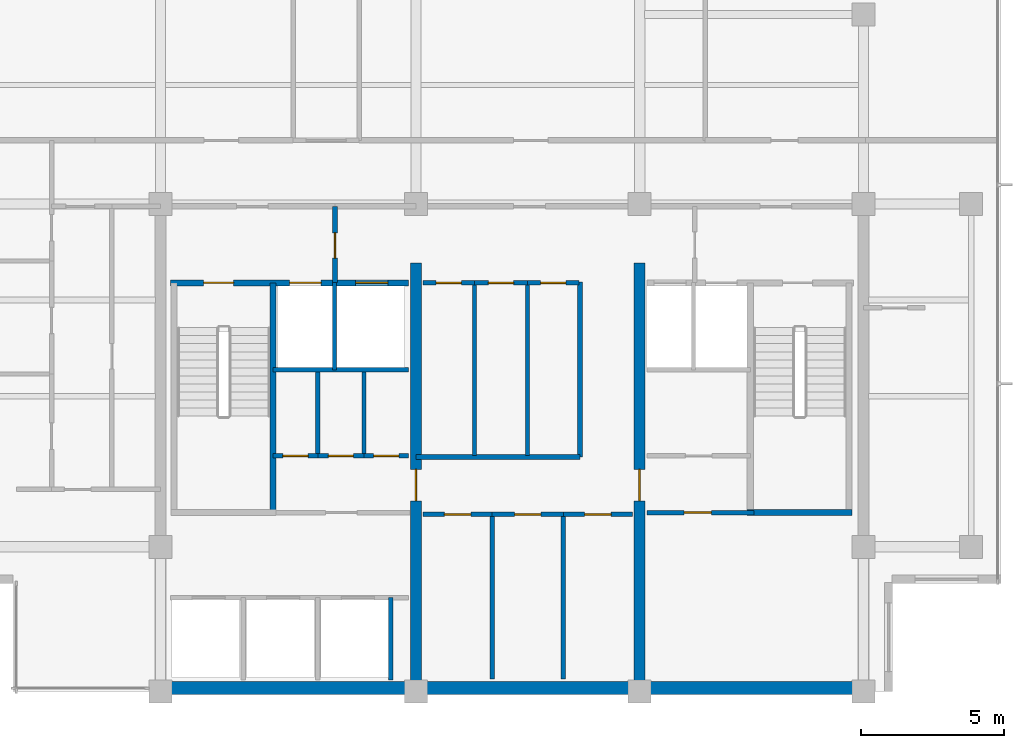
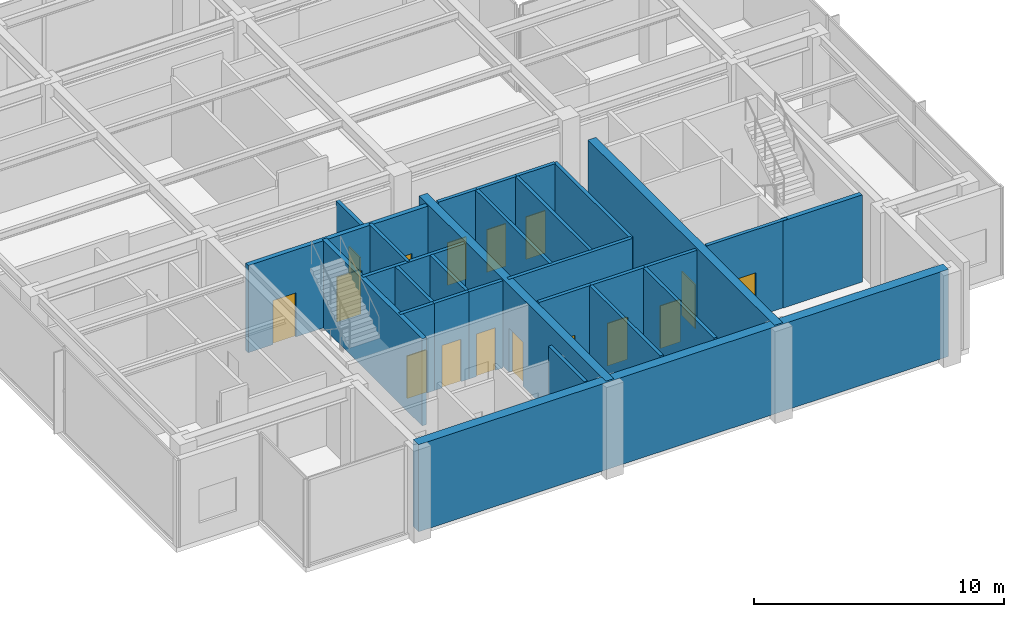
# One storey, part 6 of 11: 28 walls, 16 doors, 16 openings.
"""IFC4 building model written with IfcOpenShell, lengths in metres."""

from ifc_helpers import new_model, si_unit, direction, frame, frame_2d, origin, place, context, subcontext, project, spatial, rectangle, extrude, material, layer, layer_set, type_object, element, fill, save


model = new_model("IFC4")

# Units and contexts
model_context = context("Model", 3, precision=1e-05, world=origin(), true_north=direction((0.0, 1.0)))
body_context = subcontext(model_context, "Body", "Model", "MODEL_VIEW")
ifc_project = project(units=[si_unit("LENGTHUNIT", "METRE"), si_unit("AREAUNIT", "SQUARE_METRE"), si_unit("VOLUMEUNIT", "CUBIC_METRE"), si_unit("PLANEANGLEUNIT", "RADIAN"), si_unit("MASSUNIT", "GRAM", prefix="KILO")], contexts=[model_context])

# Site, building, storey
site_placement = place(None, origin())
site = spatial("IfcSite", under=ifc_project, at=site_placement, CompositionType="ELEMENT")
building_placement = place(site_placement, origin())
building = spatial("IfcBuilding", under=site, at=building_placement, Name="Qalmaran Belvedere Hotel", CompositionType="ELEMENT")
storey_placement = place(building_placement, frame((0.0, 0.0, 285.39990234375)))
storey = spatial("IfcBuildingStorey", under=building, at=storey_placement, Name="L74", CompositionType="ELEMENT", Elevation=285.39990234375)

# Wall, opening, door
ifc_material_1 = material(Name="Concrete C50/60", Category="concrete")
ifc_layer_1 = layer(ifc_material_1, 0.3798828125, Name="Concrete C50/60")
ifc_layer_set_1 = layer_set([ifc_layer_1], Name="Concrete C50/60")
wall_type_1 = type_object("IfcWallType", Name="WL-CORE-380-C50", PredefinedType="SHEAR", material=ifc_layer_set_1)
wall_1_placement = place(storey_placement, frame((29.199951171875, 3.5, 0.0), z_axis=(0.0, 0.0, 1.0), x_axis=(0.0, 1.0, 0.0)))
wall_1 = element("IfcWall", 1, at=wall_1_placement, inside=storey, type_object=wall_type_1, Name="L74 Core West Spine Shear Wall", PredefinedType="SHEAR", context=body_context, shape_type="SweptSolid", body=[
    extrude(rectangle(XDim=14.949951171875, YDim=0.3798828125, at=frame_2d((7.47509765625, 0.0))), origin(), (0.0, 0.0, 1.0), 4.260009765625),
])
opening_1_placement = place(wall_1_placement, frame((7.75, 0.0, 0.0), z_axis=(0.0, 0.0, 1.0), x_axis=(-1.0, 0.0, 0.0)))
opening_1 = element("IfcOpeningElement", 2, at=opening_1_placement, cuts=wall_1, Name="Opening FD90", PredefinedType="OPENING", context=body_context, shape_type="SweptSolid", body=[
    extrude(rectangle(XDim=1.10009765625, YDim=2.14990234375, at=frame_2d((0.550048828125, 1.074951171875))), frame((0.0, 0.199951171875, 0.0), z_axis=(0.0, -1.0, 0.0), x_axis=(1.0, 0.0, 0.0)), (0.0, 0.0, 1.0), 0.39990234375),
])
ifc_material_2 = material(Name="Steel S355JR", Category="steel")
door_type_1 = type_object("IfcDoorType", Name="DR-FD90-1100X2150", OperationType="NOTDEFINED", PredefinedType="DOOR", material=ifc_material_2)
door_1_placement = place(opening_1_placement, origin())
door_1 = element("IfcDoor", 3, at=door_1_placement, inside=storey, type_object=door_type_1, Name="L74 Core West Cross-Lobby Door", OperationType="SINGLE_SWING_RIGHT", OverallHeight=2.14990234375, OverallWidth=1.10009765625, PredefinedType="DOOR", context=body_context, shape_type="SweptSolid", body=[
    extrude(rectangle(XDim=1.10009765625, YDim=2.14990234375, at=frame_2d((0.550048828125, 1.074951171875))), frame((0.0, 0.02490234375, 0.0), z_axis=(0.0, -1.0, 0.0), x_axis=(1.0, 0.0, 0.0)), (0.0, 0.0, 1.0), 0.050048828125),
])
fill(opening_1, door_1)

wall_2_placement = place(storey_placement, frame((37.0, 3.5, 0.0), z_axis=(0.0, 0.0, 1.0), x_axis=(0.0, 1.0, 0.0)))
wall_2 = element("IfcWall", 4, at=wall_2_placement, inside=storey, type_object=wall_type_1, Name="L74 Core East Spine Shear Wall", PredefinedType="SHEAR", context=body_context, shape_type="SweptSolid", body=[
    extrude(rectangle(XDim=14.949951171875, YDim=0.3798828125, at=frame_2d((7.47509765625, 0.0))), origin(), (0.0, 0.0, 1.0), 4.260009765625),
])
opening_2_placement = place(wall_2_placement, frame((6.64990234375, 0.0, 0.0)))
opening_2 = element("IfcOpeningElement", 5, at=opening_2_placement, cuts=wall_2, Name="Opening FD90", PredefinedType="OPENING", context=body_context, shape_type="SweptSolid", body=[
    extrude(rectangle(XDim=1.10009765625, YDim=2.14990234375, at=frame_2d((0.550048828125, 1.074951171875))), frame((0.0, 0.199951171875, 0.0), z_axis=(0.0, -1.0, 0.0), x_axis=(1.0, 0.0, 0.0)), (0.0, 0.0, 1.0), 0.39990234375),
])
door_2_placement = place(opening_2_placement, origin())
door_2 = element("IfcDoor", 6, at=door_2_placement, inside=storey, type_object=door_type_1, Name="L74 Core East Cross-Lobby Door", OperationType="SINGLE_SWING_LEFT", OverallHeight=2.14990234375, OverallWidth=1.10009765625, PredefinedType="DOOR", context=body_context, shape_type="SweptSolid", body=[
    extrude(rectangle(XDim=1.10009765625, YDim=2.14990234375, at=frame_2d((0.550048828125, 1.074951171875))), frame((0.0, 0.02490234375, 0.0), z_axis=(0.0, -1.0, 0.0), x_axis=(1.0, 0.0, 0.0)), (0.0, 0.0, 1.0), 0.050048828125),
])
fill(opening_2, door_2)

# Walls
ifc_layer_2 = layer(ifc_material_1, 0.43994140625, Name="Concrete C50/60")
ifc_layer_set_2 = layer_set([ifc_layer_2], Name="Concrete C50/60")
wall_type_2 = type_object("IfcWallType", Name="WL-CORES-440-EXT", PredefinedType="SHEAR", material=ifc_layer_set_2)
wall_3_placement = place(storey_placement, frame((20.300048828125, 3.6298828125, 0.0), z_axis=(0.0, 0.0, 1.0), x_axis=(1.0, 0.0, 0.0)))
element("IfcWall", 7, at=wall_3_placement, inside=storey, type_object=wall_type_2, Name="L74 South Core Shear Wall", PredefinedType="SHEAR", context=body_context, shape_type="SweptSolid", body=[
    extrude(rectangle(XDim=24.5, YDim=0.43994140625, at=frame_2d((12.25, 0.0))), origin(), (0.0, 0.0, 1.0), 4.260009765625),
])
ifc_material_3 = material(Name="Gypsum Stud Partition")
ifc_layer_3 = layer(ifc_material_3, 0.14990234375, Name="Gypsum Stud Partition")
ifc_layer_set_3 = layer_set([ifc_layer_3], Name="Gypsum Stud Partition")
wall_type_3 = type_object("IfcWallType", Name="WL-INT-150-EI120", PredefinedType="PARTITIONING", material=ifc_layer_set_3)
wall_4_placement = place(storey_placement, frame((26.360107421875, 14.719970703125, 0.0), z_axis=(0.0, 0.0, 1.0), x_axis=(0.0, 1.0, 0.0)))
element("IfcWall", 8, at=wall_4_placement, inside=storey, type_object=wall_type_3, Name="L74 Partition WL-FF1M-L74", PredefinedType="PARTITIONING", context=body_context, shape_type="SweptSolid", body=[
    extrude(rectangle(XDim=3.0400390625, YDim=0.14990234375, at=frame_2d((1.52001953125, 0.0))), origin(), (0.0, 0.0, 1.0), 4.260009765625),
])
wall_5_placement = place(storey_placement, frame((28.320068359375, 3.89990234375, 0.0), z_axis=(0.0, 0.0, 1.0), x_axis=(0.0, 1.0, 0.0)))
element("IfcWall", 9, at=wall_5_placement, inside=storey, type_object=wall_type_3, Name="L74 Partition WL-POM3-L74", PredefinedType="PARTITIONING", context=body_context, shape_type="SweptSolid", body=[
    extrude(rectangle(XDim=2.880126953125, YDim=0.14990234375, at=frame_2d((1.43994140625, 0.0))), origin(), (0.0, 0.0, 1.0), 4.260009765625),
])
ifc_layer_4 = layer(ifc_material_3, 0.14990234375, Name="Gypsum Stud Partition")
ifc_layer_set_4 = layer_set([ifc_layer_4], Name="Gypsum Stud Partition")
wall_type_4 = type_object("IfcWallType", Name="WL-INT-150-EI60", PredefinedType="PARTITIONING", material=ifc_layer_set_4)
for number, where, z_axis, x_axis, name in (
    (10, (25.781005859375, 11.719970703125, 0.0), (0.0, 0.0, 1.0), (0.0, 1.0, 0.0), "L74 Partition WL-L74-KWV1"),
    (11, (27.38916015625, 11.719970703125, 0.0), (0.0, 0.0, 1.0), (0.0, 1.0, 0.0), "L74 Partition WL-L74-KWV2"),
):
    element("IfcWall", number, at=place(storey_placement, frame(where, z_axis=z_axis, x_axis=x_axis)), inside=storey, type_object=wall_type_4, Name=name, PredefinedType="PARTITIONING", context=body_context, shape_type="SweptSolid", body=[
        extrude(rectangle(XDim=2.929931640625, YDim=0.14990234375, at=frame_2d((1.46484375, 0.0))), origin(), (0.0, 0.0, 1.0), 4.260009765625),
    ])
for number, where, z_axis, x_axis, name in (
    (12, (31.85888671875, 3.949951171875, 0.0), (0.0, 0.0, 1.0), (0.0, 1.0, 0.0), "L74 Partition WL-L74-KPLV1"),
    (13, (34.341064453125, 3.949951171875, 0.0), (0.0, 0.0, 1.0), (0.0, 1.0, 0.0), "L74 Partition WL-L74-KPLV2"),
):
    element("IfcWall", number, at=place(storey_placement, frame(where, z_axis=z_axis, x_axis=x_axis)), inside=storey, type_object=wall_type_4, Name=name, PredefinedType="PARTITIONING", context=body_context, shape_type="SweptSolid", body=[
        extrude(rectangle(XDim=5.72998046875, YDim=0.14990234375, at=frame_2d((2.864990234375, 0.0))), origin(), (0.0, 0.0, 1.0), 4.260009765625),
    ])
for number, where, z_axis, x_axis, name in (
    (14, (31.241943359375, 11.739990234375, 0.0), (0.0, 0.0, 1.0), (0.0, 1.0, 0.0), "L74 Partition WL-L74-KPMV1"),
    (15, (33.088134765625, 11.739990234375, 0.0), (0.0, 0.0, 1.0), (0.0, 1.0, 0.0), "L74 Partition WL-L74-KPMV2"),
):
    element("IfcWall", number, at=place(storey_placement, frame(where, z_axis=z_axis, x_axis=x_axis)), inside=storey, type_object=wall_type_4, Name=name, PredefinedType="PARTITIONING", context=body_context, shape_type="SweptSolid", body=[
        extrude(rectangle(XDim=6.010009765625, YDim=0.14990234375, at=frame_2d((3.0048828125, 0.0))), origin(), (0.0, 0.0, 1.0), 4.260009765625),
    ])

# Wall, opening, door
ifc_layer_5 = layer(ifc_material_3, 0.159912109375, Name="Gypsum Stud Partition")
ifc_layer_set_5 = layer_set([ifc_layer_5], Name="Gypsum Stud Partition")
wall_type_5 = type_object("IfcWallType", Name="WL-INT-160-EI120", PredefinedType="PARTITIONING", material=ifc_layer_set_5)
wall_6_placement = place(storey_placement, frame((26.3798828125, 17.760009765625, 0.0), z_axis=(0.0, 0.0, 1.0), x_axis=(0.0, 1.0, 0.0)))
wall_6 = element("IfcWall", 16, at=wall_6_placement, inside=storey, type_object=wall_type_5, Name="L74 Partition WL-FFSV1-L74", PredefinedType="PARTITIONING", context=body_context, shape_type="SweptSolid", body=[
    extrude(rectangle(XDim=2.659912109375, YDim=0.159912109375, at=frame_2d((1.330078125, 0.0))), origin(), (0.0, 0.0, 1.0), 3.781982421875),
])
opening_3_placement = place(wall_6_placement, frame((0.85009765625, 0.0, 0.0)))
opening_3 = element("IfcOpeningElement", 17, at=opening_3_placement, cuts=wall_6, Name="Opening FD60B", PredefinedType="OPENING", context=body_context, shape_type="SweptSolid", body=[
    extrude(rectangle(XDim=0.8798828125, YDim=2.080078125, at=frame_2d((0.43994140625, 1.0400390625))), frame((0.0, 0.08984375, 0.0), z_axis=(0.0, -1.0, 0.0), x_axis=(1.0, 0.0, 0.0)), (0.0, 0.0, 1.0), 0.179931640625),
])
door_type_2 = type_object("IfcDoorType", Name="DR-FD60B-880X2080", OperationType="NOTDEFINED", PredefinedType="DOOR", material=ifc_material_2)
door_3_placement = place(opening_3_placement, origin())
door_3 = element("IfcDoor", 18, at=door_3_placement, inside=storey, type_object=door_type_2, Name="L74 Service Lobby West Door", OperationType="SINGLE_SWING_RIGHT", OverallHeight=2.080078125, OverallWidth=0.8798828125, PredefinedType="DOOR", context=body_context, shape_type="SweptSolid", body=[
    extrude(rectangle(XDim=0.8798828125, YDim=2.080078125, at=frame_2d((0.43994140625, 1.0400390625))), frame((0.0, 0.02490234375, 0.0), z_axis=(0.0, -1.0, 0.0), x_axis=(1.0, 0.0, 0.0)), (0.0, 0.0, 1.0), 0.050048828125),
])
fill(opening_3, door_3)

# Wall
wall_7_placement = place(storey_placement, frame((24.219970703125, 14.719970703125, 0.0), z_axis=(0.0, 0.0, 1.0), x_axis=(1.0, 0.0, 0.0)))
element("IfcWall", 19, at=wall_7_placement, inside=storey, type_object=wall_type_5, Name="L74 Partition WL-FF1S-L74", PredefinedType="PARTITIONING", context=body_context, shape_type="SweptSolid", body=[
    extrude(rectangle(XDim=4.72998046875, YDim=0.159912109375, at=frame_2d((2.364990234375, 0.0))), origin(), (0.0, 0.0, 1.0), 4.260009765625),
])

# Wall, opening, door
ifc_layer_6 = layer(ifc_material_3, 0.159912109375, Name="Gypsum Stud Partition")
ifc_layer_set_6 = layer_set([ifc_layer_6], Name="Gypsum Stud Partition")
wall_type_6 = type_object("IfcWallType", Name="WL-INT-160-EI60", PredefinedType="PARTITIONING", material=ifc_layer_set_6)
wall_8_placement = place(storey_placement, frame((24.219970703125, 11.719970703125, 0.0), z_axis=(0.0, 0.0, 1.0), x_axis=(1.0, 0.0, 0.0)))
wall_8 = element("IfcWall", 20, at=wall_8_placement, inside=storey, type_object=wall_type_6, Name="L74 Partition WL-L74-KWE1", PredefinedType="PARTITIONING", context=body_context, shape_type="SweptSolid", body=[
    extrude(rectangle(XDim=1.56103515625, YDim=0.159912109375, at=frame_2d((0.780517578125, 0.0))), origin(), (0.0, 0.0, 1.0), 4.260009765625),
])
opening_4_placement = place(wall_8_placement, frame((0.340576171875, 0.0, 0.0)))
opening_4 = element("IfcOpeningElement", 21, at=opening_4_placement, cuts=wall_8, Name="Opening FD60B", PredefinedType="OPENING", context=body_context, shape_type="SweptSolid", body=[
    extrude(rectangle(XDim=0.8798828125, YDim=2.080078125, at=frame_2d((0.43994140625, 1.0400390625))), frame((0.0, 0.08984375, 0.0), z_axis=(0.0, -1.0, 0.0), x_axis=(1.0, 0.0, 0.0)), (0.0, 0.0, 1.0), 0.179931640625),
])
door_4_placement = place(opening_4_placement, origin())
door_4 = element("IfcDoor", 22, at=door_4_placement, inside=storey, type_object=door_type_2, Name="L74 Staff Core WC Door", OperationType="SINGLE_SWING_LEFT", OverallHeight=2.080078125, OverallWidth=0.8798828125, PredefinedType="DOOR", context=body_context, shape_type="SweptSolid", body=[
    extrude(rectangle(XDim=0.8798828125, YDim=2.080078125, at=frame_2d((0.43994140625, 1.0400390625))), frame((0.0, 0.02490234375, 0.0), z_axis=(0.0, -1.0, 0.0), x_axis=(1.0, 0.0, 0.0)), (0.0, 0.0, 1.0), 0.050048828125),
])
fill(opening_4, door_4)

wall_9_placement = place(storey_placement, frame((25.781005859375, 11.719970703125, 0.0), z_axis=(0.0, 0.0, 1.0), x_axis=(1.0, 0.0, 0.0)))
wall_9 = element("IfcWall", 23, at=wall_9_placement, inside=storey, type_object=wall_type_6, Name="L74 Partition WL-L74-KWE2", PredefinedType="PARTITIONING", context=body_context, shape_type="SweptSolid", body=[
    extrude(rectangle(XDim=1.608154296875, YDim=0.159912109375, at=frame_2d((0.80419921875, 0.0))), origin(), (0.0, 0.0, 1.0), 4.260009765625),
])
opening_5_placement = place(wall_9_placement, frame((0.364013671875, 0.0, 0.0)))
opening_5 = element("IfcOpeningElement", 24, at=opening_5_placement, cuts=wall_9, Name="Opening FD60B", PredefinedType="OPENING", context=body_context, shape_type="SweptSolid", body=[
    extrude(rectangle(XDim=0.8798828125, YDim=2.080078125, at=frame_2d((0.43994140625, 1.0400390625))), frame((0.0, 0.08984375, 0.0), z_axis=(0.0, -1.0, 0.0), x_axis=(1.0, 0.0, 0.0)), (0.0, 0.0, 1.0), 0.179931640625),
])
door_5_placement = place(opening_5_placement, origin())
door_5 = element("IfcDoor", 25, at=door_5_placement, inside=storey, type_object=door_type_2, Name="L74 Electrical Distribution Room Door", OperationType="SINGLE_SWING_RIGHT", OverallHeight=2.080078125, OverallWidth=0.8798828125, PredefinedType="DOOR", context=body_context, shape_type="SweptSolid", body=[
    extrude(rectangle(XDim=0.8798828125, YDim=2.080078125, at=frame_2d((0.43994140625, 1.0400390625))), frame((0.0, 0.02490234375, 0.0), z_axis=(0.0, -1.0, 0.0), x_axis=(1.0, 0.0, 0.0)), (0.0, 0.0, 1.0), 0.050048828125),
])
fill(opening_5, door_5)

wall_10_placement = place(storey_placement, frame((27.38916015625, 11.719970703125, 0.0), z_axis=(0.0, 0.0, 1.0), x_axis=(1.0, 0.0, 0.0)))
wall_10 = element("IfcWall", 26, at=wall_10_placement, inside=storey, type_object=wall_type_6, Name="L74 Partition WL-L74-KWE3", PredefinedType="PARTITIONING", context=body_context, shape_type="SweptSolid", body=[
    extrude(rectangle(XDim=1.560791015625, YDim=0.159912109375, at=frame_2d((0.7802734375, 0.0))), origin(), (0.0, 0.0, 1.0), 4.260009765625),
])
opening_6_placement = place(wall_10_placement, frame((0.340576171875, 0.0, 0.0)))
opening_6 = element("IfcOpeningElement", 27, at=opening_6_placement, cuts=wall_10, Name="Opening FD60B", PredefinedType="OPENING", context=body_context, shape_type="SweptSolid", body=[
    extrude(rectangle(XDim=0.8798828125, YDim=2.080078125, at=frame_2d((0.43994140625, 1.0400390625))), frame((0.0, 0.08984375, 0.0), z_axis=(0.0, -1.0, 0.0), x_axis=(1.0, 0.0, 0.0)), (0.0, 0.0, 1.0), 0.179931640625),
])
door_6_placement = place(opening_6_placement, origin())
door_6 = element("IfcDoor", 28, at=door_6_placement, inside=storey, type_object=door_type_2, Name="L74 Telecom and IT Room Door", OperationType="SINGLE_SWING_LEFT", OverallHeight=2.080078125, OverallWidth=0.8798828125, PredefinedType="DOOR", context=body_context, shape_type="SweptSolid", body=[
    extrude(rectangle(XDim=0.8798828125, YDim=2.080078125, at=frame_2d((0.43994140625, 1.0400390625))), frame((0.0, 0.02490234375, 0.0), z_axis=(0.0, -1.0, 0.0), x_axis=(1.0, 0.0, 0.0)), (0.0, 0.0, 1.0), 0.050048828125),
])
fill(opening_6, door_6)

wall_11_placement = place(storey_placement, frame((37.25, 9.739990234375, 0.0), z_axis=(0.0, 0.0, 1.0), x_axis=(1.0, 0.0, 0.0)))
wall_11 = element("IfcWall", 29, at=wall_11_placement, inside=storey, type_object=wall_type_6, Name="L74 Partition WL-PHFR-L74", PredefinedType="PARTITIONING", context=body_context, shape_type="SweptSolid", body=[
    extrude(rectangle(XDim=3.72998046875, YDim=0.159912109375, at=frame_2d((1.864990234375, 0.0))), origin(), (0.0, 0.0, 1.0), 4.260009765625),
])
opening_7_placement = place(wall_11_placement, frame((2.25, 0.0, 0.0), z_axis=(0.0, 0.0, 1.0), x_axis=(-1.0, 0.0, 0.0)))
opening_7 = element("IfcOpeningElement", 30, at=opening_7_placement, cuts=wall_11, Name="Opening FD60", PredefinedType="OPENING", context=body_context, shape_type="SweptSolid", body=[
    extrude(rectangle(XDim=0.949951171875, YDim=2.14990234375, at=frame_2d((0.47509765625, 1.074951171875))), frame((0.0, 0.08984375, 0.0), z_axis=(0.0, -1.0, 0.0), x_axis=(1.0, 0.0, 0.0)), (0.0, 0.0, 1.0), 0.179931640625),
])
ifc_material_4 = material(Name="Engineered Oak Veneer")
door_type_3 = type_object("IfcDoorType", Name="DR-FD60-950X2150", OperationType="NOTDEFINED", PredefinedType="DOOR", material=ifc_material_4)
door_7_placement = place(opening_7_placement, origin())
door_7 = element("IfcDoor", 31, at=door_7_placement, inside=storey, type_object=door_type_3, Name="L74 Freed PH Room Door", OperationType="SINGLE_SWING_RIGHT", OverallHeight=2.14990234375, OverallWidth=0.949951171875, PredefinedType="DOOR", context=body_context, shape_type="SweptSolid", body=[
    extrude(rectangle(XDim=0.949951171875, YDim=2.14990234375, at=frame_2d((0.47509765625, 1.074951171875))), frame((0.0, 0.02490234375, 0.0), z_axis=(0.0, -1.0, 0.0), x_axis=(1.0, 0.0, 0.0)), (0.0, 0.0, 1.0), 0.050048828125),
])
fill(opening_7, door_7)

# Wall
wall_12_placement = place(storey_placement, frame((34.919921875, 11.679931640625, 0.0), z_axis=(0.0, 0.0, 1.0), x_axis=(0.0, 1.0, 0.0)))
element("IfcWall", 32, at=wall_12_placement, inside=storey, type_object=wall_type_6, Name="L74 Partition WL-CLLV-L74", PredefinedType="PARTITIONING", context=body_context, shape_type="SweptSolid", body=[
    extrude(rectangle(XDim=6.10009765625, YDim=0.159912109375, at=frame_2d((3.050048828125, 0.0))), origin(), (0.0, 0.0, 1.0), 4.260009765625),
])

# Wall, opening, door
wall_13_placement = place(storey_placement, frame((29.449951171875, 9.679931640625, 0.0), z_axis=(0.0, 0.0, 1.0), x_axis=(1.0, 0.0, 0.0)))
wall_13 = element("IfcWall", 33, at=wall_13_placement, inside=storey, type_object=wall_type_6, Name="L74 Partition WL-L74-KPLE1", PredefinedType="PARTITIONING", context=body_context, shape_type="SweptSolid", body=[
    extrude(rectangle(XDim=2.408935546875, YDim=0.159912109375, at=frame_2d((1.20458984375, 0.0))), origin(), (0.0, 0.0, 1.0), 4.260009765625),
])
opening_8_placement = place(wall_13_placement, frame((1.664306640625, 0.0, 0.0), z_axis=(0.0, 0.0, 1.0), x_axis=(-1.0, 0.0, 0.0)))
opening_8 = element("IfcOpeningElement", 34, at=opening_8_placement, cuts=wall_13, Name="Opening FD60S1", PredefinedType="OPENING", context=body_context, shape_type="SweptSolid", body=[
    extrude(rectangle(XDim=0.919921875, YDim=2.080078125, at=frame_2d((0.4599609375, 1.0400390625))), frame((0.0, 0.08984375, 0.0), z_axis=(0.0, -1.0, 0.0), x_axis=(1.0, 0.0, 0.0)), (0.0, 0.0, 1.0), 0.179931640625),
])
door_type_4 = type_object("IfcDoorType", Name="DR-FD60S-920X2080", OperationType="NOTDEFINED", PredefinedType="DOOR", material=ifc_material_4)
door_8_placement = place(opening_8_placement, origin())
door_8 = element("IfcDoor", 35, at=door_8_placement, inside=storey, type_object=door_type_4, Name="L74 Housekeeping and Linen Room Door", OperationType="SINGLE_SWING_LEFT", OverallHeight=2.080078125, OverallWidth=0.919921875, PredefinedType="DOOR", context=body_context, shape_type="SweptSolid", body=[
    extrude(rectangle(XDim=0.919921875, YDim=2.080078125, at=frame_2d((0.4599609375, 1.0400390625))), frame((0.0, 0.02490234375, 0.0), z_axis=(0.0, -1.0, 0.0), x_axis=(1.0, 0.0, 0.0)), (0.0, 0.0, 1.0), 0.050048828125),
])
fill(opening_8, door_8)

wall_14_placement = place(storey_placement, frame((31.85888671875, 9.679931640625, 0.0), z_axis=(0.0, 0.0, 1.0), x_axis=(1.0, 0.0, 0.0)))
wall_14 = element("IfcWall", 36, at=wall_14_placement, inside=storey, type_object=wall_type_6, Name="L74 Partition WL-L74-KPLE2", PredefinedType="PARTITIONING", context=body_context, shape_type="SweptSolid", body=[
    extrude(rectangle(XDim=2.482177734375, YDim=0.159912109375, at=frame_2d((1.2412109375, 0.0))), origin(), (0.0, 0.0, 1.0), 4.260009765625),
])
opening_9_placement = place(wall_14_placement, frame((1.700927734375, 0.0, 0.0), z_axis=(0.0, 0.0, 1.0), x_axis=(-1.0, 0.0, 0.0)))
opening_9 = element("IfcOpeningElement", 37, at=opening_9_placement, cuts=wall_14, Name="Opening FD60S1", PredefinedType="OPENING", context=body_context, shape_type="SweptSolid", body=[
    extrude(rectangle(XDim=0.919921875, YDim=2.080078125, at=frame_2d((0.4599609375, 1.0400390625))), frame((0.0, 0.08984375, 0.0), z_axis=(0.0, -1.0, 0.0), x_axis=(1.0, 0.0, 0.0)), (0.0, 0.0, 1.0), 0.179931640625),
])
door_9_placement = place(opening_9_placement, origin())
door_9 = element("IfcDoor", 38, at=door_9_placement, inside=storey, type_object=door_type_4, Name="L74 Hotel Butler Service Pantry Door", OperationType="SINGLE_SWING_RIGHT", OverallHeight=2.080078125, OverallWidth=0.919921875, PredefinedType="DOOR", context=body_context, shape_type="SweptSolid", body=[
    extrude(rectangle(XDim=0.919921875, YDim=2.080078125, at=frame_2d((0.4599609375, 1.0400390625))), frame((0.0, 0.02490234375, 0.0), z_axis=(0.0, -1.0, 0.0), x_axis=(1.0, 0.0, 0.0)), (0.0, 0.0, 1.0), 0.050048828125),
])
fill(opening_9, door_9)

wall_15_placement = place(storey_placement, frame((34.341064453125, 9.679931640625, 0.0), z_axis=(0.0, 0.0, 1.0), x_axis=(1.0, 0.0, 0.0)))
wall_15 = element("IfcWall", 39, at=wall_15_placement, inside=storey, type_object=wall_type_6, Name="L74 Partition WL-L74-KPLE3", PredefinedType="PARTITIONING", context=body_context, shape_type="SweptSolid", body=[
    extrude(rectangle(XDim=2.408935546875, YDim=0.159912109375, at=frame_2d((1.20458984375, 0.0))), origin(), (0.0, 0.0, 1.0), 4.260009765625),
])
opening_10_placement = place(wall_15_placement, frame((1.664306640625, 0.0, 0.0), z_axis=(0.0, 0.0, 1.0), x_axis=(-1.0, 0.0, 0.0)))
opening_10 = element("IfcOpeningElement", 40, at=opening_10_placement, cuts=wall_15, Name="Opening FD60S1", PredefinedType="OPENING", context=body_context, shape_type="SweptSolid", body=[
    extrude(rectangle(XDim=0.919921875, YDim=2.080078125, at=frame_2d((0.4599609375, 1.0400390625))), frame((0.0, 0.08984375, 0.0), z_axis=(0.0, -1.0, 0.0), x_axis=(1.0, 0.0, 0.0)), (0.0, 0.0, 1.0), 0.179931640625),
])
door_10_placement = place(opening_10_placement, origin())
door_10 = element("IfcDoor", 41, at=door_10_placement, inside=storey, type_object=door_type_4, Name="L74 Guest Valet Supply Store Door", OperationType="SINGLE_SWING_LEFT", OverallHeight=2.080078125, OverallWidth=0.919921875, PredefinedType="DOOR", context=body_context, shape_type="SweptSolid", body=[
    extrude(rectangle(XDim=0.919921875, YDim=2.080078125, at=frame_2d((0.4599609375, 1.0400390625))), frame((0.0, 0.02490234375, 0.0), z_axis=(0.0, -1.0, 0.0), x_axis=(1.0, 0.0, 0.0)), (0.0, 0.0, 1.0), 0.050048828125),
])
fill(opening_10, door_10)

# Wall
wall_16_placement = place(storey_placement, frame((29.199951171875, 11.679931640625, 0.0), z_axis=(0.0, 0.0, 1.0), x_axis=(1.0, 0.0, 0.0)))
element("IfcWall", 42, at=wall_16_placement, inside=storey, type_object=wall_type_6, Name="L74 Partition WL-PMFS-L74", PredefinedType="PARTITIONING", context=body_context, shape_type="SweptSolid", body=[
    extrude(rectangle(XDim=5.719970703125, YDim=0.159912109375, at=frame_2d((2.85986328125, 0.0))), origin(), (0.0, 0.0, 1.0), 4.260009765625),
])

# Wall, opening, door
wall_17_placement = place(storey_placement, frame((29.449951171875, 17.75, 0.0), z_axis=(0.0, 0.0, 1.0), x_axis=(1.0, 0.0, 0.0)))
wall_17 = element("IfcWall", 43, at=wall_17_placement, inside=storey, type_object=wall_type_6, Name="L74 Partition WL-L74-KPME1", PredefinedType="PARTITIONING", context=body_context, shape_type="SweptSolid", body=[
    extrude(rectangle(XDim=1.7919921875, YDim=0.159912109375, at=frame_2d((0.89599609375, 0.0))), origin(), (0.0, 0.0, 1.0), 4.260009765625),
])
opening_11_placement = place(wall_17_placement, frame((1.3359375, 0.0, 0.0), z_axis=(0.0, 0.0, 1.0), x_axis=(-1.0, 0.0, 0.0)))
opening_11 = element("IfcOpeningElement", 44, at=opening_11_placement, cuts=wall_17, Name="Opening FD60B", PredefinedType="OPENING", context=body_context, shape_type="SweptSolid", body=[
    extrude(rectangle(XDim=0.8798828125, YDim=2.080078125, at=frame_2d((0.43994140625, 1.0400390625))), frame((0.0, 0.08984375, 0.0), z_axis=(0.0, -1.0, 0.0), x_axis=(1.0, 0.0, 0.0)), (0.0, 0.0, 1.0), 0.179931640625),
])
door_11_placement = place(opening_11_placement, origin())
door_11 = element("IfcDoor", 45, at=door_11_placement, inside=storey, type_object=door_type_2, Name="L74 Executive Butler Pantry Door", OperationType="SINGLE_SWING_RIGHT", OverallHeight=2.080078125, OverallWidth=0.8798828125, PredefinedType="DOOR", context=body_context, shape_type="SweptSolid", body=[
    extrude(rectangle(XDim=0.8798828125, YDim=2.080078125, at=frame_2d((0.43994140625, 1.0400390625))), frame((0.0, 0.02490234375, 0.0), z_axis=(0.0, -1.0, 0.0), x_axis=(1.0, 0.0, 0.0)), (0.0, 0.0, 1.0), 0.050048828125),
])
fill(opening_11, door_11)

wall_18_placement = place(storey_placement, frame((31.241943359375, 17.75, 0.0), z_axis=(0.0, 0.0, 1.0), x_axis=(1.0, 0.0, 0.0)))
wall_18 = element("IfcWall", 46, at=wall_18_placement, inside=storey, type_object=wall_type_6, Name="L74 Partition WL-L74-KPME2", PredefinedType="PARTITIONING", context=body_context, shape_type="SweptSolid", body=[
    extrude(rectangle(XDim=1.84619140625, YDim=0.159912109375, at=frame_2d((0.923095703125, 0.0))), origin(), (0.0, 0.0, 1.0), 4.260009765625),
])
opening_12_placement = place(wall_18_placement, frame((1.363037109375, 0.0, 0.0), z_axis=(0.0, 0.0, 1.0), x_axis=(-1.0, 0.0, 0.0)))
opening_12 = element("IfcOpeningElement", 47, at=opening_12_placement, cuts=wall_18, Name="Opening FD60B", PredefinedType="OPENING", context=body_context, shape_type="SweptSolid", body=[
    extrude(rectangle(XDim=0.8798828125, YDim=2.080078125, at=frame_2d((0.43994140625, 1.0400390625))), frame((0.0, 0.08984375, 0.0), z_axis=(0.0, -1.0, 0.0), x_axis=(1.0, 0.0, 0.0)), (0.0, 0.0, 1.0), 0.179931640625),
])
door_12_placement = place(opening_12_placement, origin())
door_12 = element("IfcDoor", 48, at=door_12_placement, inside=storey, type_object=door_type_2, Name="L74 Floor Linen Supply Store Door", OperationType="SINGLE_SWING_LEFT", OverallHeight=2.080078125, OverallWidth=0.8798828125, PredefinedType="DOOR", context=body_context, shape_type="SweptSolid", body=[
    extrude(rectangle(XDim=0.8798828125, YDim=2.080078125, at=frame_2d((0.43994140625, 1.0400390625))), frame((0.0, 0.02490234375, 0.0), z_axis=(0.0, -1.0, 0.0), x_axis=(1.0, 0.0, 0.0)), (0.0, 0.0, 1.0), 0.050048828125),
])
fill(opening_12, door_12)

wall_19_placement = place(storey_placement, frame((33.088134765625, 17.75, 0.0), z_axis=(0.0, 0.0, 1.0), x_axis=(1.0, 0.0, 0.0)))
wall_19 = element("IfcWall", 49, at=wall_19_placement, inside=storey, type_object=wall_type_6, Name="L74 Partition WL-L74-KPME3", PredefinedType="PARTITIONING", context=body_context, shape_type="SweptSolid", body=[
    extrude(rectangle(XDim=1.791748046875, YDim=0.159912109375, at=frame_2d((0.89599609375, 0.0))), origin(), (0.0, 0.0, 1.0), 4.260009765625),
])
opening_13_placement = place(wall_19_placement, frame((1.3359375, 0.0, 0.0), z_axis=(0.0, 0.0, 1.0), x_axis=(-1.0, 0.0, 0.0)))
opening_13 = element("IfcOpeningElement", 50, at=opening_13_placement, cuts=wall_19, Name="Opening FD60B", PredefinedType="OPENING", context=body_context, shape_type="SweptSolid", body=[
    extrude(rectangle(XDim=0.8798828125, YDim=2.080078125, at=frame_2d((0.43994140625, 1.0400390625))), frame((0.0, 0.08984375, 0.0), z_axis=(0.0, -1.0, 0.0), x_axis=(1.0, 0.0, 0.0)), (0.0, 0.0, 1.0), 0.179931640625),
])
door_13_placement = place(opening_13_placement, origin())
door_13 = element("IfcDoor", 51, at=door_13_placement, inside=storey, type_object=door_type_2, Name="L74 Core Tableware Store Door", OperationType="SINGLE_SWING_RIGHT", OverallHeight=2.080078125, OverallWidth=0.8798828125, PredefinedType="DOOR", context=body_context, shape_type="SweptSolid", body=[
    extrude(rectangle(XDim=0.8798828125, YDim=2.080078125, at=frame_2d((0.43994140625, 1.0400390625))), frame((0.0, 0.02490234375, 0.0), z_axis=(0.0, -1.0, 0.0), x_axis=(1.0, 0.0, 0.0)), (0.0, 0.0, 1.0), 0.050048828125),
])
fill(opening_13, door_13)

# Wall
ifc_layer_7 = layer(ifc_material_1, 0.2099609375, Name="Concrete C50/60")
ifc_layer_set_7 = layer_set([ifc_layer_7], Name="Concrete C50/60")
wall_type_7 = type_object("IfcWallType", Name="WL-STAIR-210-C50", PredefinedType="SHEAR", material=ifc_layer_set_7)
wall_20_placement = place(storey_placement, frame((24.22509765625, 9.7451171875, 0.0), z_axis=(0.0, 0.0, 1.0), x_axis=(0.0, 1.0, 0.0)))
element("IfcWall", 52, at=wall_20_placement, inside=storey, type_object=wall_type_7, Name="L74 Stair ST-1 East Bearing Wall", PredefinedType="SHEAR", context=body_context, shape_type="SweptSolid", body=[
    extrude(rectangle(XDim=8.009765625, YDim=0.2099609375, at=frame_2d((4.0048828125, 0.0))), origin(), (0.0, 0.0, 1.0), 4.260009765625),
])

# Wall, openings, doors
wall_21_placement = place(storey_placement, frame((20.64990234375, 17.7548828125, 0.0), z_axis=(0.0, 0.0, 1.0), x_axis=(1.0, 0.0, 0.0)))
wall_21 = element("IfcWall", 53, at=wall_21_placement, inside=storey, type_object=wall_type_7, Name="L74 West Lobby and Stair ST-1 North Bearing Wall", PredefinedType="SHEAR", context=body_context, shape_type="SweptSolid", body=[
    extrude(rectangle(XDim=8.300048828125, YDim=0.2099609375, at=frame_2d((4.14990234375, 0.0))), origin(), (0.0, 0.0, 1.0), 4.260009765625),
])
opening_14_placement = place(wall_21_placement, frame((2.199951171875, 0.0, 0.0), z_axis=(0.0, 0.0, 1.0), x_axis=(-1.0, 0.0, 0.0)))
opening_14 = element("IfcOpeningElement", 54, at=opening_14_placement, cuts=wall_21, Name="Opening FD90S2", PredefinedType="OPENING", context=body_context, shape_type="SweptSolid", body=[
    extrude(rectangle(XDim=1.050048828125, YDim=2.14990234375, at=frame_2d((0.52490234375, 1.074951171875))), frame((0.0, 0.114990234375, 0.0), z_axis=(0.0, -1.0, 0.0), x_axis=(1.0, 0.0, 0.0)), (0.0, 0.0, 1.0), 0.22998046875),
])
opening_15_placement = place(wall_21_placement, frame((4.14990234375, 0.0, 0.0)))
opening_15 = element("IfcOpeningElement", 55, at=opening_15_placement, cuts=wall_21, Name="Opening LD-FF", PredefinedType="OPENING", context=body_context, shape_type="SweptSolid", body=[
    extrude(rectangle(XDim=1.10009765625, YDim=2.179931640625, at=frame_2d((0.550048828125, 1.08984375))), frame((0.0, 0.114990234375, 0.0), z_axis=(0.0, -1.0, 0.0), x_axis=(1.0, 0.0, 0.0)), (0.0, 0.0, 1.0), 0.22998046875),
])
opening_16_placement = place(wall_21_placement, frame((6.449951171875, 0.0, 0.0)))
opening_16 = element("IfcOpeningElement", 56, at=opening_16_placement, cuts=wall_21, Name="Opening LD-SV", PredefinedType="OPENING", context=body_context, shape_type="SweptSolid", body=[
    extrude(rectangle(XDim=1.1201171875, YDim=2.199951171875, at=frame_2d((0.56005859375, 1.10009765625))), frame((0.0, 0.114990234375, 0.0), z_axis=(0.0, -1.0, 0.0), x_axis=(1.0, 0.0, 0.0)), (0.0, 0.0, 1.0), 0.22998046875),
])
door_type_5 = type_object("IfcDoorType", Name="DR-FD90S-1050X2150", OperationType="NOTDEFINED", PredefinedType="DOOR", material=ifc_material_2)
door_14_placement = place(opening_14_placement, origin())
door_14 = element("IfcDoor", 57, at=door_14_placement, inside=storey, type_object=door_type_5, Name="L74 Stair ST-1 Door", OperationType="SINGLE_SWING_RIGHT", OverallHeight=2.14990234375, OverallWidth=1.050048828125, PredefinedType="DOOR", context=body_context, shape_type="SweptSolid", body=[
    extrude(rectangle(XDim=1.050048828125, YDim=2.14990234375, at=frame_2d((0.52490234375, 1.074951171875))), frame((0.0, 0.02490234375, 0.0), z_axis=(0.0, -1.0, 0.0), x_axis=(1.0, 0.0, 0.0)), (0.0, 0.0, 1.0), 0.050048828125),
])
fill(opening_14, door_14)
ifc_material_5 = material(Name="Stainless Steel 1.4401", Category="steel")
door_type_6 = type_object("IfcDoorType", Name="DR-LIFT-FF-1100X2180", OperationType="DOUBLE_DOOR_SLIDING", PredefinedType="DOOR", material=ifc_material_5)
door_15_placement = place(opening_15_placement, origin())
door_15 = element("IfcDoor", 58, at=door_15_placement, inside=storey, type_object=door_type_6, Name="L74 FF1 Lift Landing Door", OperationType="DOUBLE_DOOR_SLIDING", OverallHeight=2.179931640625, OverallWidth=1.10009765625, PredefinedType="DOOR", context=body_context, shape_type="SweptSolid", body=[
    extrude(rectangle(XDim=1.10009765625, YDim=2.179931640625, at=frame_2d((0.550048828125, 1.08984375))), frame((0.0, 0.02490234375, 0.0), z_axis=(0.0, -1.0, 0.0), x_axis=(1.0, 0.0, 0.0)), (0.0, 0.0, 1.0), 0.050048828125),
])
fill(opening_15, door_15)
door_type_7 = type_object("IfcDoorType", Name="DR-LIFT-SV-1120X2200", OperationType="DOUBLE_DOOR_SLIDING", PredefinedType="DOOR", material=ifc_material_5)
door_16_placement = place(opening_16_placement, origin())
door_16 = element("IfcDoor", 59, at=door_16_placement, inside=storey, type_object=door_type_7, Name="L74 SV1 Lift Landing Door", OperationType="DOUBLE_DOOR_SLIDING", OverallHeight=2.199951171875, OverallWidth=1.1201171875, PredefinedType="DOOR", context=body_context, shape_type="SweptSolid", body=[
    extrude(rectangle(XDim=1.1201171875, YDim=2.199951171875, at=frame_2d((0.56005859375, 1.10009765625))), frame((0.0, 0.02490234375, 0.0), z_axis=(0.0, -1.0, 0.0), x_axis=(1.0, 0.0, 0.0)), (0.0, 0.0, 1.0), 0.050048828125),
])
fill(opening_16, door_16)

# Wall
wall_22_placement = place(storey_placement, frame((40.75, 9.7451171875, 0.0), z_axis=(0.0, 0.0, 1.0), x_axis=(1.0, 0.0, 0.0)))
element("IfcWall", 60, at=wall_22_placement, inside=storey, type_object=wall_type_7, Name="L74 Stair ST-2 South Bearing Wall", PredefinedType="SHEAR", context=body_context, shape_type="SweptSolid", body=[
    extrude(rectangle(XDim=3.659912109375, YDim=0.2099609375, at=frame_2d((1.830078125, 0.0))), origin(), (0.0, 0.0, 1.0), 4.260009765625),
])

save(model, "model.ifc")
